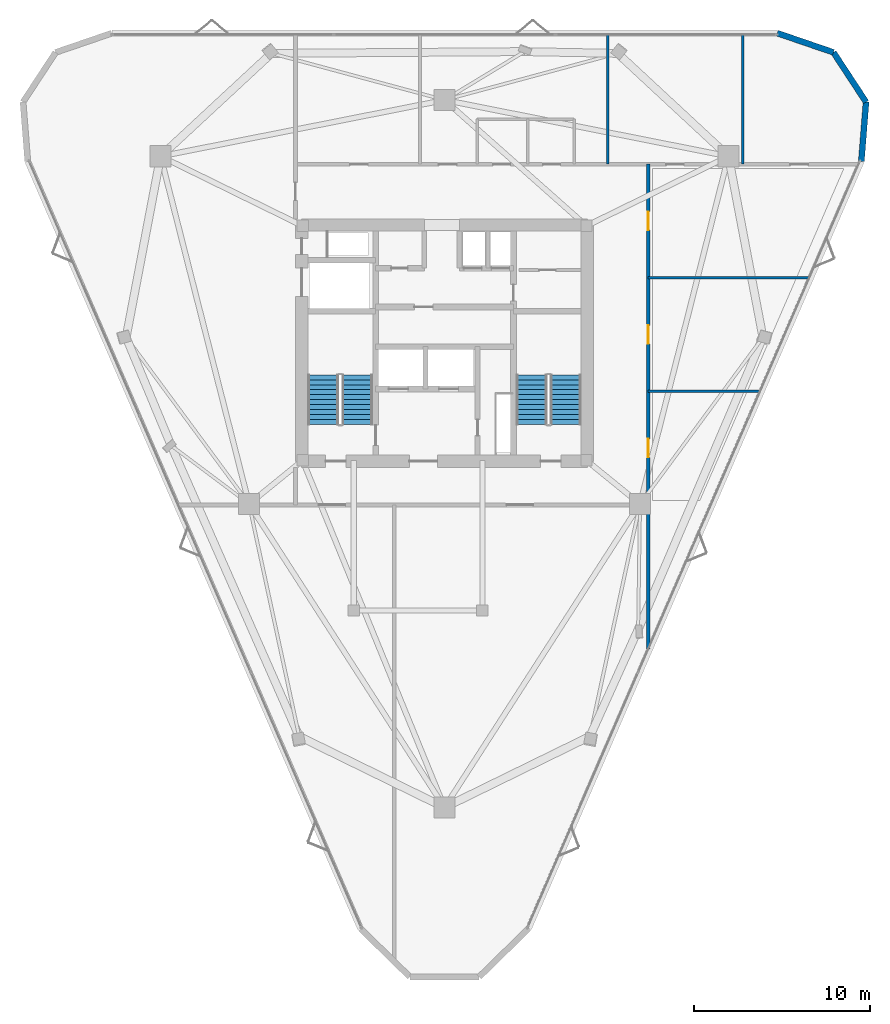
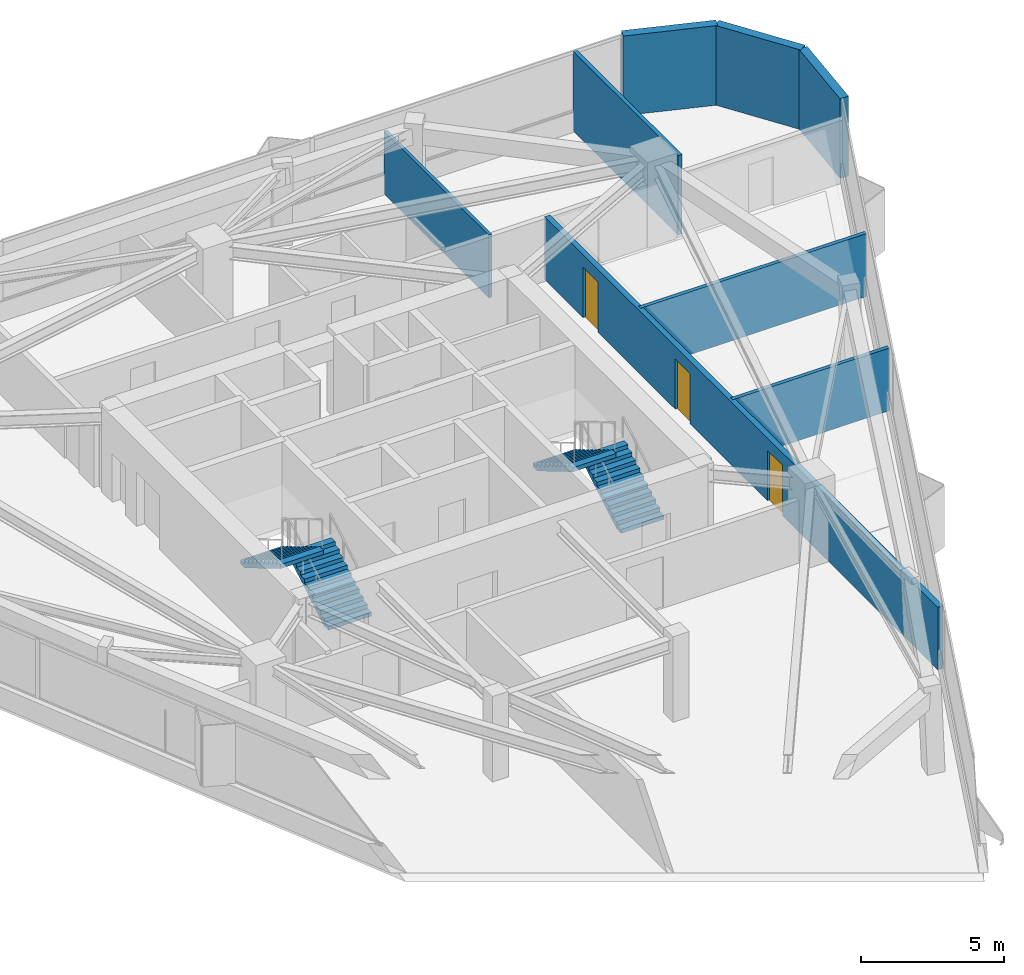
# One storey, part 10 of 11: 8 walls, 4 stair flights, 3 doors, 3 openings, 2 elements without a shape of their own.
"""IFC4 building model written with IfcOpenShell, lengths in metres."""

from ifc_helpers import new_model, si_unit, direction, frame, frame_2d, origin, place, context, subcontext, project, spatial, polyline, rectangle, outline, extrude, material, layer, layer_set, type_object, element, fill, aggregate, save


model = new_model("IFC4")

# Units and contexts
model_context = context("Model", 3, precision=1e-05, world=origin(), true_north=direction((0.0, 1.0)))
body_context = subcontext(model_context, "Body", "Model", "MODEL_VIEW")
ifc_project = project(units=[si_unit("LENGTHUNIT", "METRE"), si_unit("AREAUNIT", "SQUARE_METRE"), si_unit("VOLUMEUNIT", "CUBIC_METRE"), si_unit("PLANEANGLEUNIT", "RADIAN"), si_unit("MASSUNIT", "GRAM", prefix="KILO")], contexts=[model_context])

# Site, building, storey
site_placement = place(None, origin())
site = spatial("IfcSite", under=ifc_project, at=site_placement, CompositionType="ELEMENT")
building_placement = place(site_placement, origin())
building = spatial("IfcBuilding", under=site, at=building_placement, Name="Talyreon Biosciences Tower", CompositionType="ELEMENT")
storey_placement = place(building_placement, frame((0.0, 0.0, 235.25)))
storey = spatial("IfcBuildingStorey", under=building, at=storey_placement, Name="L62", CompositionType="ELEMENT", Elevation=235.25)

# Wall, openings, doors
ifc_material_1 = material(Name="Gypsum fireboard acoustic stud", Category="gypsum")
ifc_layer_1 = layer(ifc_material_1, 0.219970703125)
ifc_layer_set_1 = layer_set([ifc_layer_1], Name="Gypsum fireboard acoustic stud")
wall_type_1 = type_object("IfcWallType", Name="CorridorRatedPartition_220", PredefinedType="PARTITIONING", material=ifc_layer_set_1)
wall_1_placement = place(storey_placement, frame((77.550048828125, 50.6484375, 0.0), z_axis=(0.0, 0.0, 1.0), x_axis=(0.0, 1.0, 0.0)))
wall_1 = element("IfcWall", 1, at=wall_1_placement, inside=storey, type_object=wall_type_1, Name="L62 Interior Wall IW-L62-COR-E", PredefinedType="PARTITIONING", context=body_context, shape_type="SweptSolid", body=[
    extrude(rectangle(XDim=27.50146484375, YDim=0.219970703125, at=frame_2d((13.750732421875, 0.0))), origin(), (0.0, 0.0, 1.0), 2.679931640625),
])
opening_1_placement = place(wall_1_placement, frame((10.876953125, 0.0, 0.0)))
opening_1 = element("IfcOpeningElement", 2, at=opening_1_placement, cuts=wall_1, Name="Opening DR-L62-E1A", PredefinedType="OPENING", context=body_context, shape_type="SweptSolid", body=[
    extrude(rectangle(XDim=1.050048828125, YDim=2.14990234375, at=frame_2d((0.52490234375, 1.074951171875))), frame((0.0, 0.119873046875, 0.0), z_axis=(0.0, -1.0, 0.0), x_axis=(1.0, 0.0, 0.0)), (0.0, 0.0, 1.0), 0.239990234375),
])
opening_2_placement = place(wall_1_placement, frame((17.31689453125, 0.0, 0.0)))
opening_2 = element("IfcOpeningElement", 3, at=opening_2_placement, cuts=wall_1, Name="Opening DR-L62-E2A", PredefinedType="OPENING", context=body_context, shape_type="SweptSolid", body=[
    extrude(rectangle(XDim=1.050048828125, YDim=2.14990234375, at=frame_2d((0.52490234375, 1.074951171875))), frame((0.0, 0.119873046875, 0.0), z_axis=(0.0, -1.0, 0.0), x_axis=(1.0, 0.0, 0.0)), (0.0, 0.0, 1.0), 0.239990234375),
])
opening_3_placement = place(wall_1_placement, frame((23.757080078125, 0.0, 0.0)))
opening_3 = element("IfcOpeningElement", 4, at=opening_3_placement, cuts=wall_1, Name="Opening DR-L62-E3A", PredefinedType="OPENING", context=body_context, shape_type="SweptSolid", body=[
    extrude(rectangle(XDim=1.050048828125, YDim=2.14990234375, at=frame_2d((0.52490234375, 1.074951171875))), frame((0.0, 0.119873046875, 0.0), z_axis=(0.0, -1.0, 0.0), x_axis=(1.0, 0.0, 0.0)), (0.0, 0.0, 1.0), 0.239990234375),
])
ifc_material_2 = material(Name="Acoustic timber-core laboratory door", Category="wood")
door_type = type_object("IfcDoorType", Name="DryLabSingleDoor_1050x2150", OperationType="NOTDEFINED", PredefinedType="DOOR", material=ifc_material_2)
door_1_placement = place(opening_1_placement, origin())
door_1 = element("IfcDoor", 5, at=door_1_placement, inside=storey, type_object=door_type, Name="L62 Interior Door DR-L62-E1A", OperationType="SINGLE_SWING_LEFT", OverallHeight=2.14990234375, OverallWidth=1.050048828125, PredefinedType="DOOR", context=body_context, shape_type="SweptSolid", body=[
    extrude(rectangle(XDim=1.050048828125, YDim=2.14990234375, at=frame_2d((0.52490234375, 1.074951171875))), frame((0.0, 0.02490234375, 0.0), z_axis=(0.0, -1.0, 0.0), x_axis=(1.0, 0.0, 0.0)), (0.0, 0.0, 1.0), 0.050048828125),
])
fill(opening_1, door_1)
door_2_placement = place(opening_2_placement, origin())
door_2 = element("IfcDoor", 6, at=door_2_placement, inside=storey, type_object=door_type, Name="L62 Interior Door DR-L62-E2A", OperationType="SINGLE_SWING_RIGHT", OverallHeight=2.14990234375, OverallWidth=1.050048828125, PredefinedType="DOOR", context=body_context, shape_type="SweptSolid", body=[
    extrude(rectangle(XDim=1.050048828125, YDim=2.14990234375, at=frame_2d((0.52490234375, 1.074951171875))), frame((0.0, 0.02490234375, 0.0), z_axis=(0.0, -1.0, 0.0), x_axis=(1.0, 0.0, 0.0)), (0.0, 0.0, 1.0), 0.050048828125),
])
fill(opening_2, door_2)
door_3_placement = place(opening_3_placement, origin())
door_3 = element("IfcDoor", 7, at=door_3_placement, inside=storey, type_object=door_type, Name="L62 Interior Door DR-L62-E3A", OperationType="SINGLE_SWING_LEFT", OverallHeight=2.14990234375, OverallWidth=1.050048828125, PredefinedType="DOOR", context=body_context, shape_type="SweptSolid", body=[
    extrude(rectangle(XDim=1.050048828125, YDim=2.14990234375, at=frame_2d((0.52490234375, 1.074951171875))), frame((0.0, 0.02490234375, 0.0), z_axis=(0.0, -1.0, 0.0), x_axis=(1.0, 0.0, 0.0)), (0.0, 0.0, 1.0), 0.050048828125),
])
fill(opening_3, door_3)

# Walls
ifc_material_3 = material(Name="Gypsum acoustic stud partition", Category="gypsum")
ifc_layer_2 = layer(ifc_material_3, 0.159912109375)
ifc_layer_set_2 = layer_set([ifc_layer_2], Name="Gypsum acoustic stud partition")
wall_type_2 = type_object("IfcWallType", Name="LabSeparationPartition_160", PredefinedType="PARTITIONING", material=ifc_layer_set_2)
wall_2_placement = place(storey_placement, frame((82.909912109375, 78.14990234375, 0.0), z_axis=(0.0, 0.0, 1.0), x_axis=(0.0, 1.0, 0.0)))
element("IfcWall", 8, at=wall_2_placement, inside=storey, type_object=wall_type_2, Name="L62 Interior Wall IW-L62-NDIV3", PredefinedType="PARTITIONING", context=body_context, shape_type="SweptSolid", body=[
    extrude(rectangle(XDim=7.349853515625, YDim=0.159912109375, at=frame_2d((3.6748046875, 0.0))), origin(), (0.0, 0.0, 1.0), 3.39990234375),
])
wall_3_placement = place(storey_placement, frame((77.550048828125, 65.27001953125, 0.0), z_axis=(0.0, 0.0, 1.0), x_axis=(1.0, 0.0, 0.0)))
element("IfcWall", 9, at=wall_3_placement, inside=storey, type_object=wall_type_2, Name="L62 Interior Wall IW-L62-EDIV1", PredefinedType="PARTITIONING", context=body_context, shape_type="SweptSolid", body=[
    extrude(rectangle(XDim=6.34033203125, YDim=0.159912109375, at=frame_2d((3.170166015625, 0.0))), origin(), (0.0, 0.0, 1.0), 2.679931640625),
])
wall_4_placement = place(storey_placement, frame((77.550048828125, 71.7099609375, 0.0), z_axis=(0.0, 0.0, 1.0), x_axis=(1.0, 0.0, 0.0)))
element("IfcWall", 10, at=wall_4_placement, inside=storey, type_object=wall_type_2, Name="L62 Interior Wall IW-L62-EDIV2", PredefinedType="PARTITIONING", context=body_context, shape_type="SweptSolid", body=[
    extrude(rectangle(XDim=9.1328125, YDim=0.159912109375, at=frame_2d((4.56640625, 0.0))), origin(), (0.0, 0.0, 1.0), 2.679931640625),
])
ifc_layer_3 = layer(ifc_material_3, 0.1298828125)
ifc_layer_set_3 = layer_set([ifc_layer_3], Name="Gypsum acoustic stud partition")
wall_type_3 = type_object("IfcWallType", Name="OfficeWriteupPartition_130", PredefinedType="PARTITIONING", material=ifc_layer_set_3)
wall_5_placement = place(storey_placement, frame((75.25, 78.14990234375, 0.0), z_axis=(0.0, 0.0, 1.0), x_axis=(0.0, 1.0, 0.0)))
element("IfcWall", 11, at=wall_5_placement, inside=storey, type_object=wall_type_3, Name="L62 Interior Wall IW-L62-NDIV2", PredefinedType="PARTITIONING", context=body_context, shape_type="SweptSolid", body=[
    extrude(rectangle(XDim=7.349853515625, YDim=0.1298828125, at=frame_2d((3.6748046875, 0.0))), origin(), (0.0, 0.0, 1.0), 2.679931640625),
])
ifc_material_4 = material(Name="Precast concrete C45/55", Category="concrete")
ifc_layer_4 = layer(ifc_material_4, 0.340087890625)
ifc_layer_set_4 = layer_set([ifc_layer_4], Name="Precast concrete C45/55")
wall_type_4 = type_object("IfcWallType", Name="PrecastConcreteSpandrelWall_340", PredefinedType="STANDARD", material=ifc_layer_set_4)
for number, where, z_axis, x_axis, name in (
    (12, (84.869140625, 85.584716796875, 0.0), (0.0, 0.0, 1.0), (0.946043059633, -0.324040937724, 0.0), "L62 Rounded-Corner Concrete Pier 05"),
    (13, (88.057373046875, 84.49267578125, 0.0), (0.0, 0.0, 1.0), (0.548700748562, -0.836018832639, 0.0), "L62 Rounded-Corner Concrete Pier 06"),
):
    element("IfcWall", number, at=place(storey_placement, frame(where, z_axis=z_axis, x_axis=x_axis)), inside=storey, type_object=wall_type_4, Name=name, PredefinedType="STANDARD", context=body_context, shape_type="SweptSolid", body=[
        extrude(rectangle(XDim=3.3701171875, YDim=0.340087890625, at=frame_2d((1.68505859375, 0.0))), origin(), (0.0, 0.0, 1.0), 3.39990234375),
    ])
wall_6_placement = place(storey_placement, frame((89.906494140625, 81.67529296875, 0.0), z_axis=(0.0, 0.0, 1.0), x_axis=(-0.079111730003, -0.996865755343, 0.0)))
element("IfcWall", 14, at=wall_6_placement, inside=storey, type_object=wall_type_4, Name="L62 Rounded-Corner Concrete Pier 07", PredefinedType="STANDARD", context=body_context, shape_type="SweptSolid", body=[
    extrude(rectangle(XDim=3.369873046875, YDim=0.340087890625, at=frame_2d((1.68505859375, 0.0))), origin(), (0.0, 0.0, 1.0), 3.39990234375),
])

# Stair, stair flights
ifc_material_5 = material(Name="Concrete C40/50", Category="concrete")
stair_type = type_object("IfcStairType", Name="DoglegEscapeStair_3650", PredefinedType="HALF_TURN_STAIR", material=ifc_material_5)
stair_1_placement = place(storey_placement, origin())
stair_1 = element("IfcStair", 15, at=stair_1_placement, inside=storey, type_object=stair_type, Name="L62 Core Escape Stair 1", PredefinedType="HALF_TURN_STAIR")
stair_flight_type = type_object("IfcStairFlightType", Name="PrecastStairFlight_3650", PredefinedType="STRAIGHT", material=ifc_material_5)
stair_flight_1_placement = place(storey_placement, frame((61.06005859375, 63.39990234375, 0.0), z_axis=(0.0, 0.0, 1.0), x_axis=(0.0, 1.0, 0.0)))
stair_flight_1 = element("IfcStairFlight", 16, at=stair_flight_1_placement, type_object=stair_flight_type, Name="ST-1 flight 1", NumberOfRisers=11, NumberOfTreads=10, PredefinedType="STRAIGHT", RiserHeight=0.165909091, TreadLength=0.28, context=body_context, shape_type="SweptSolid", body=[
    extrude(outline(polyline([(0.0, 0.0), (0.0, 0.166015625), (0.280029296875, 0.166015625), (0.280029296875, 0.331787109375), (0.56005859375, 0.331787109375), (0.56005859375, 0.497802734375), (0.840087890625, 0.497802734375), (0.840087890625, 0.66357421875), (1.1201171875, 0.66357421875), (1.1201171875, 0.82958984375), (1.39990234375, 0.82958984375), (1.39990234375, 0.995361328125), (1.679931640625, 0.995361328125), (1.679931640625, 1.161376953125), (1.9599609375, 1.161376953125), (1.9599609375, 1.327392578125), (2.239990234375, 1.327392578125), (2.239990234375, 1.4931640625), (2.52001953125, 1.4931640625), (2.52001953125, 1.6591796875), (2.800048828125, 1.6591796875), (2.800048828125, 1.824951171875), (2.800048828125, 1.48486328125), (0.2939453125, 0.0), (0.0, 0.0)])), frame((0.0, 0.8701171875, 0.0), z_axis=(0.0, -1.0, 0.0), x_axis=(1.0, 0.0, 0.0)), (0.0, 0.0, 1.0), 1.739990234375),
])
stair_flight_2_placement = place(storey_placement, frame((59.1201171875, 66.199951171875, 1.824951171875), z_axis=(0.0, 0.0, 1.0), x_axis=(0.0, -1.0, 0.0)))
stair_flight_2 = element("IfcStairFlight", 17, at=stair_flight_2_placement, type_object=stair_flight_type, Name="ST-1 flight 2", NumberOfRisers=11, NumberOfTreads=10, PredefinedType="STRAIGHT", RiserHeight=0.165909091, TreadLength=0.28, context=body_context, shape_type="SweptSolid", body=[
    extrude(outline(polyline([(0.0, 0.0), (0.0, 0.166015625), (0.280029296875, 0.166015625), (0.280029296875, 0.331787109375), (0.56005859375, 0.331787109375), (0.56005859375, 0.497802734375), (0.840087890625, 0.497802734375), (0.840087890625, 0.66357421875), (1.1201171875, 0.66357421875), (1.1201171875, 0.82958984375), (1.39990234375, 0.82958984375), (1.39990234375, 0.995361328125), (1.679931640625, 0.995361328125), (1.679931640625, 1.161376953125), (1.9599609375, 1.161376953125), (1.9599609375, 1.327392578125), (2.239990234375, 1.327392578125), (2.239990234375, 1.4931640625), (2.52001953125, 1.4931640625), (2.52001953125, 1.6591796875), (2.800048828125, 1.6591796875), (2.800048828125, 1.824951171875), (2.800048828125, 1.48486328125), (0.2939453125, 0.0), (0.0, 0.0)])), frame((0.0, 0.8701171875, 0.0), z_axis=(0.0, -1.0, 0.0), x_axis=(1.0, 0.0, 0.0)), (0.0, 0.0, 1.0), 1.739990234375),
])
aggregate(stair_1, [stair_flight_1, stair_flight_2])

stair_2_placement = place(storey_placement, origin())
stair_2 = element("IfcStair", 18, at=stair_2_placement, inside=storey, type_object=stair_type, Name="L62 Core Escape Stair 2", PredefinedType="HALF_TURN_STAIR")
stair_flight_3_placement = place(storey_placement, frame((72.8798828125, 63.39990234375, 0.0), z_axis=(0.0, 0.0, 1.0), x_axis=(0.0, 1.0, 0.0)))
stair_flight_3 = element("IfcStairFlight", 19, at=stair_flight_3_placement, type_object=stair_flight_type, Name="ST-2 flight 1", NumberOfRisers=11, NumberOfTreads=10, PredefinedType="STRAIGHT", RiserHeight=0.165909091, TreadLength=0.28, context=body_context, shape_type="SweptSolid", body=[
    extrude(outline(polyline([(0.0, 0.0), (0.0, 0.166015625), (0.280029296875, 0.166015625), (0.280029296875, 0.331787109375), (0.56005859375, 0.331787109375), (0.56005859375, 0.497802734375), (0.840087890625, 0.497802734375), (0.840087890625, 0.66357421875), (1.1201171875, 0.66357421875), (1.1201171875, 0.82958984375), (1.39990234375, 0.82958984375), (1.39990234375, 0.995361328125), (1.679931640625, 0.995361328125), (1.679931640625, 1.161376953125), (1.9599609375, 1.161376953125), (1.9599609375, 1.327392578125), (2.239990234375, 1.327392578125), (2.239990234375, 1.4931640625), (2.52001953125, 1.4931640625), (2.52001953125, 1.6591796875), (2.800048828125, 1.6591796875), (2.800048828125, 1.824951171875), (2.800048828125, 1.48486328125), (0.2939453125, 0.0), (0.0, 0.0)])), frame((0.0, 0.8701171875, 0.0), z_axis=(0.0, -1.0, 0.0), x_axis=(1.0, 0.0, 0.0)), (0.0, 0.0, 1.0), 1.739990234375),
])
stair_flight_4_placement = place(storey_placement, frame((70.93994140625, 66.199951171875, 1.824951171875), z_axis=(0.0, 0.0, 1.0), x_axis=(0.0, -1.0, 0.0)))
stair_flight_4 = element("IfcStairFlight", 20, at=stair_flight_4_placement, type_object=stair_flight_type, Name="ST-2 flight 2", NumberOfRisers=11, NumberOfTreads=10, PredefinedType="STRAIGHT", RiserHeight=0.165909091, TreadLength=0.28, context=body_context, shape_type="SweptSolid", body=[
    extrude(outline(polyline([(0.0, 0.0), (0.0, 0.166015625), (0.280029296875, 0.166015625), (0.280029296875, 0.331787109375), (0.56005859375, 0.331787109375), (0.56005859375, 0.497802734375), (0.840087890625, 0.497802734375), (0.840087890625, 0.66357421875), (1.1201171875, 0.66357421875), (1.1201171875, 0.82958984375), (1.39990234375, 0.82958984375), (1.39990234375, 0.995361328125), (1.679931640625, 0.995361328125), (1.679931640625, 1.161376953125), (1.9599609375, 1.161376953125), (1.9599609375, 1.327392578125), (2.239990234375, 1.327392578125), (2.239990234375, 1.4931640625), (2.52001953125, 1.4931640625), (2.52001953125, 1.6591796875), (2.800048828125, 1.6591796875), (2.800048828125, 1.824951171875), (2.800048828125, 1.48486328125), (0.2939453125, 0.0), (0.0, 0.0)])), frame((0.0, 0.8701171875, 0.0), z_axis=(0.0, -1.0, 0.0), x_axis=(1.0, 0.0, 0.0)), (0.0, 0.0, 1.0), 1.739990234375),
])
aggregate(stair_2, [stair_flight_3, stair_flight_4])

save(model, "model.ifc")
